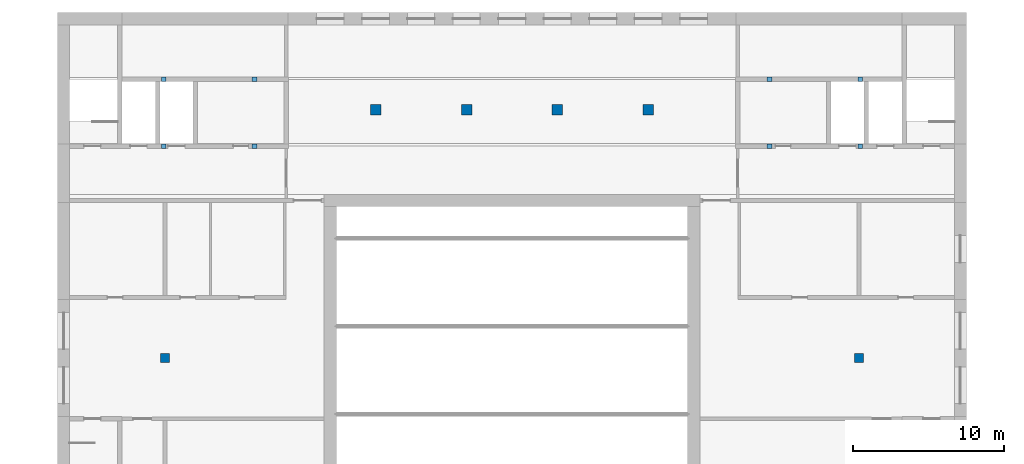
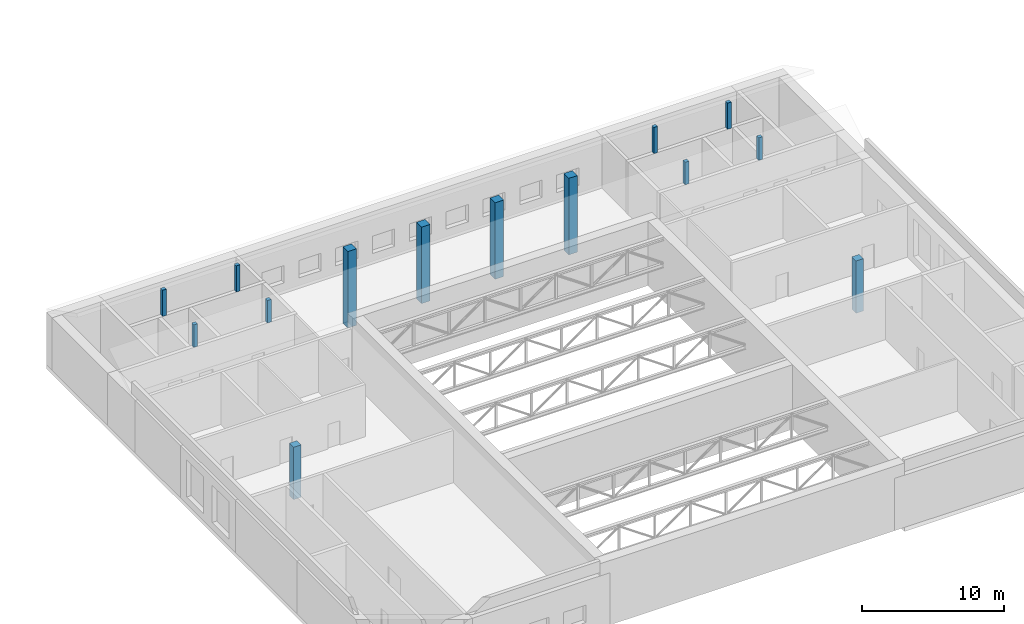
# One storey, part 1 of 35: 14 columns.
"""IFC4 building model written with IfcOpenShell, lengths in metres."""

from ifc_helpers import new_model, si_unit, direction, frame, origin, origin_2d, place, context, subcontext, project, spatial, rectangle, extrude, material, material_profile, profile_set, type_object, element, save


model = new_model("IFC4")

# Units and contexts
model_context = context("Model", 3, precision=1e-05, world=origin(), true_north=direction((0.0, 1.0)))
body_context = subcontext(model_context, "Body", "Model", "MODEL_VIEW")
ifc_project = project(units=[si_unit("LENGTHUNIT", "METRE"), si_unit("AREAUNIT", "SQUARE_METRE"), si_unit("VOLUMEUNIT", "CUBIC_METRE"), si_unit("PLANEANGLEUNIT", "RADIAN"), si_unit("MASSUNIT", "GRAM", prefix="KILO")], contexts=[model_context])

# Site, building, storey
site_placement = place(None, origin())
site = spatial("IfcSite", under=ifc_project, at=site_placement, CompositionType="ELEMENT")
building_placement = place(site_placement, origin())
building = spatial("IfcBuilding", under=site, at=building_placement, Name="Kiln Ring Residences", CompositionType="ELEMENT")
storey_placement = place(building_placement, frame((0.0, 0.0, 20.89990234375)))
storey = spatial("IfcBuildingStorey", under=building, at=storey_placement, Name="L04", CompositionType="ELEMENT", Elevation=20.89990234375)

# Columns
ifc_material_1 = material(Name="Concrete C40/50", Category="concrete")
ifc_material_profile_1 = material_profile(ifc_material_1, rectangle(XDim=0.60009765625, YDim=0.60009765625, at=origin_2d()), Name="Hall reinforced concrete column 600 x 600")
ifc_profile_set_1 = profile_set([ifc_material_profile_1], Name="Concrete C40/50")
column_type_1 = type_object("IfcColumnType", Name="Hall reinforced concrete column 600 x 600", PredefinedType="COLUMN", material=ifc_profile_set_1)
for number, where, z_axis, x_axis, name in (
    (1, (-22.89990234375, -135.199951171875, 0.0), (0.0, 0.0, 1.0), (1.0, 0.0, 0.0), "Hall column L04 5"),
    (2, (22.89990234375, -135.199951171875, 0.0), (0.0, 0.0, 1.0), (1.0, 0.0, 0.0), "Hall column L04 6"),
):
    element("IfcColumn", number, at=place(storey_placement, frame(where, z_axis=z_axis, x_axis=x_axis)), inside=storey, type_object=column_type_1, Name=name, PredefinedType="COLUMN", context=body_context, shape_type="SweptSolid", body=[
        extrude(rectangle(XDim=0.60009765625, YDim=0.60009765625, at=origin_2d()), origin(), (0.0, 0.0, 1.0), 4.5),
    ])
ifc_material_2 = material(Name="Concrete C40/50", Category="concrete")
ifc_material_profile_2 = material_profile(ifc_material_2, rectangle(XDim=0.699951171875, YDim=0.699951171875, at=origin_2d()), Name="Hall reinforced concrete column 700 x 700")
ifc_profile_set_2 = profile_set([ifc_material_profile_2], Name="Concrete C40/50")
column_type_2 = type_object("IfcColumnType", Name="Hall reinforced concrete column 700 x 700", PredefinedType="COLUMN", material=ifc_profile_set_2)
for number, where, z_axis, x_axis, name in (
    (3, (-9.0, -118.800048828125, 0.0), (0.0, 0.0, 1.0), (1.0, 0.0, 0.0), "Hall column L04 1"),
    (4, (-3.0, -118.800048828125, 0.0), (0.0, 0.0, 1.0), (1.0, 0.0, 0.0), "Hall column L04 2"),
    (5, (3.0, -118.800048828125, 0.0), (0.0, 0.0, 1.0), (1.0, 0.0, 0.0), "Hall column L04 3"),
    (6, (9.0, -118.800048828125, 0.0), (0.0, 0.0, 1.0), (1.0, 0.0, 0.0), "Hall column L04 4"),
):
    element("IfcColumn", number, at=place(storey_placement, frame(where, z_axis=z_axis, x_axis=x_axis)), inside=storey, type_object=column_type_2, Name=name, PredefinedType="COLUMN", context=body_context, shape_type="SweptSolid", body=[
        extrude(rectangle(XDim=0.699951171875, YDim=0.699951171875, at=origin_2d()), origin(), (0.0, 0.0, 1.0), 6.5908203125),
    ])
ifc_material_3 = material(Name="Concrete C40/50", Category="concrete")
ifc_material_profile_3 = material_profile(ifc_material_3, rectangle(XDim=0.300048828125, YDim=0.300048828125, at=origin_2d()), Name="Hall vault post 300 x 300")
ifc_profile_set_3 = profile_set([ifc_material_profile_3], Name="Concrete C40/50")
column_type_3 = type_object("IfcColumnType", Name="Hall vault post 300 x 300", PredefinedType="COLUMN", material=ifc_profile_set_3)
for number, where, z_axis, x_axis, name in (
    (7, (-23.0, -121.199951171875, 4.5), (0.0, 0.0, 1.0), (1.0, 0.0, 0.0), "Hall vault post 1"),
    (8, (-17.0, -121.199951171875, 4.5), (0.0, 0.0, 1.0), (1.0, 0.0, 0.0), "Hall vault post 2"),
    (9, (17.0, -121.199951171875, 4.5), (0.0, 0.0, 1.0), (1.0, 0.0, 0.0), "Hall vault post 3"),
    (10, (23.0, -121.199951171875, 4.5), (0.0, 0.0, 1.0), (1.0, 0.0, 0.0), "Hall vault post 4"),
):
    element("IfcColumn", number, at=place(storey_placement, frame(where, z_axis=z_axis, x_axis=x_axis)), inside=storey, type_object=column_type_3, Name=name, PredefinedType="COLUMN", context=body_context, shape_type="SweptSolid", body=[
        extrude(rectangle(XDim=0.300048828125, YDim=0.300048828125, at=origin_2d()), origin(), (0.0, 0.0, 1.0), 1.937255859375),
    ])
for number, where, z_axis, x_axis, name in (
    (11, (-23.0, -116.800048828125, 4.5), (0.0, 0.0, 1.0), (1.0, 0.0, 0.0), "Hall vault post 5"),
    (12, (-17.0, -116.800048828125, 4.5), (0.0, 0.0, 1.0), (1.0, 0.0, 0.0), "Hall vault post 6"),
    (13, (17.0, -116.800048828125, 4.5), (0.0, 0.0, 1.0), (1.0, 0.0, 0.0), "Hall vault post 7"),
    (14, (23.0, -116.800048828125, 4.5), (0.0, 0.0, 1.0), (1.0, 0.0, 0.0), "Hall vault post 8"),
):
    element("IfcColumn", number, at=place(storey_placement, frame(where, z_axis=z_axis, x_axis=x_axis)), inside=storey, type_object=column_type_3, Name=name, PredefinedType="COLUMN", context=body_context, shape_type="SweptSolid", body=[
        extrude(rectangle(XDim=0.300048828125, YDim=0.300048828125, at=origin_2d()), origin(), (0.0, 0.0, 1.0), 2.251708984375),
    ])

save(model, "model.ifc")
